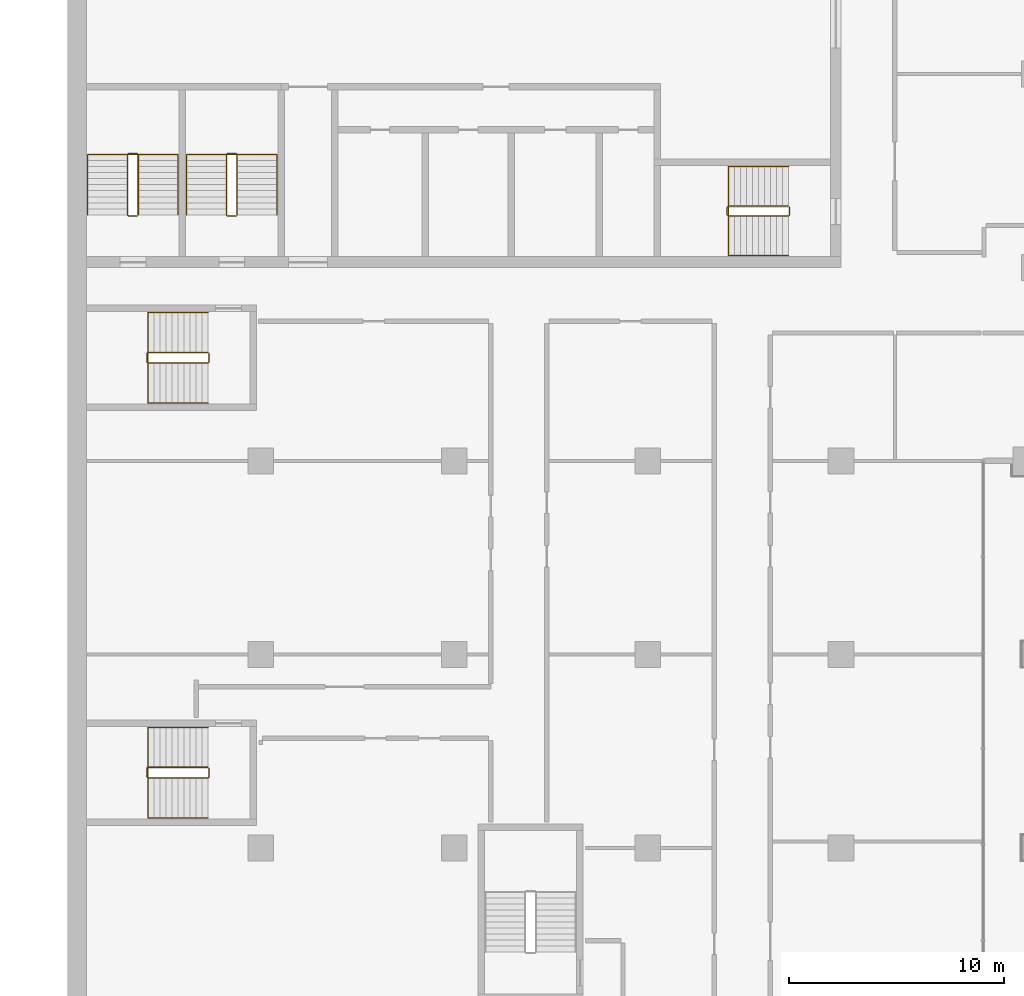
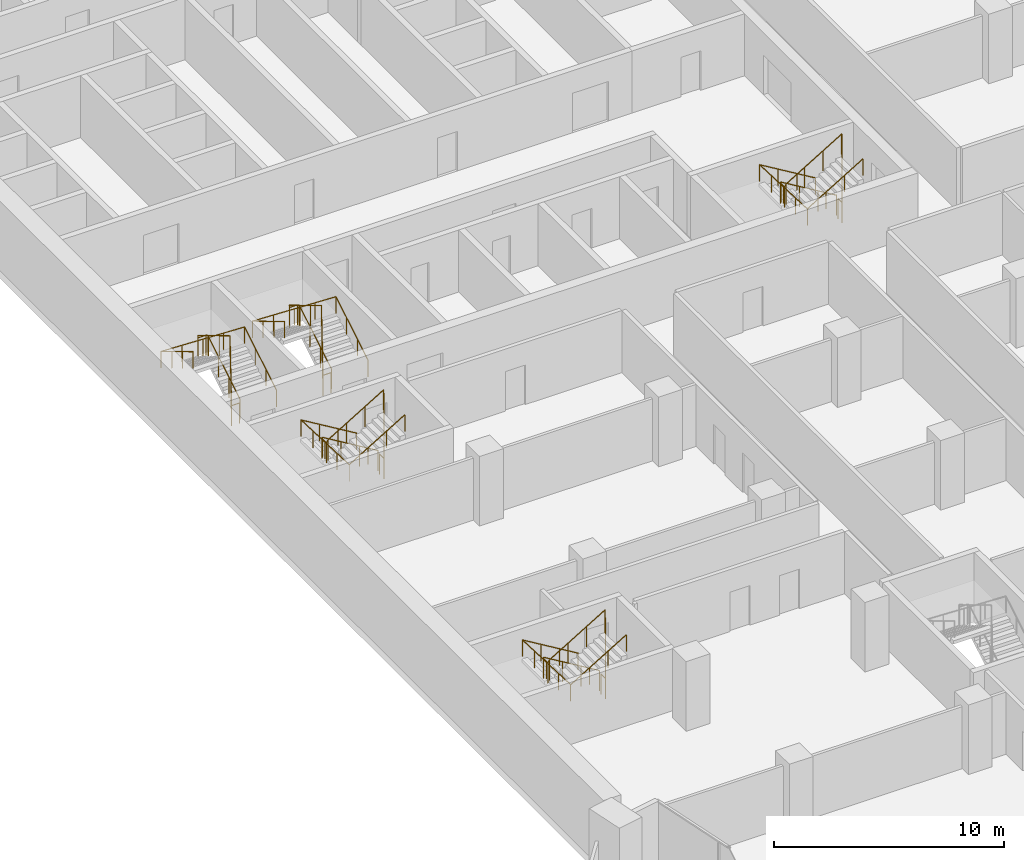
# One storey, part 21 of 23: 10 railings.
"""IFC4 building model written with IfcOpenShell, lengths in metres."""

from ifc_helpers import new_model, si_unit, direction, frame, origin, origin_2d, place, context, subcontext, project, spatial, circle, extrude, material, type_object, element, save


model = new_model("IFC4")

# Units and contexts
model_context = context("Model", 3, precision=1e-05, world=origin(), true_north=direction((0.0, 1.0)))
body_context = subcontext(model_context, "Body", "Model", "MODEL_VIEW")
ifc_project = project(units=[si_unit("LENGTHUNIT", "METRE"), si_unit("AREAUNIT", "SQUARE_METRE"), si_unit("VOLUMEUNIT", "CUBIC_METRE"), si_unit("PLANEANGLEUNIT", "RADIAN"), si_unit("MASSUNIT", "GRAM", prefix="KILO")], contexts=[model_context])

# Site, building, storey
site_placement = place(None, origin())
site = spatial("IfcSite", under=ifc_project, at=site_placement, CompositionType="ELEMENT")
building_placement = place(site_placement, origin())
building = spatial("IfcBuilding", under=site, at=building_placement, Name="Hunhe Ridgeline Campus", CompositionType="ELEMENT")
storey_placement = place(building_placement, frame((0.0, 0.0, 152.300048828125)))
storey = spatial("IfcBuildingStorey", under=building, at=storey_placement, Name="L38", CompositionType="ELEMENT", Elevation=152.300048828125)

# Railings
ifc_material_1 = material(Name="Stainless steel balustrade", Category="steel")
railing_type_1 = type_object("IfcRailingType", Name="Stair guard 1100 stainless", PredefinedType="GUARDRAIL", material=ifc_material_1)
railing_1_placement = place(storey_placement, frame((33.550048828125, 65.85009765625, 0.168212890625)))
element("IfcRailing", 1, at=railing_1_placement, inside=storey, type_object=railing_type_1, Name="L38 stair S2 guard", PredefinedType="GUARDRAIL", context=body_context, shape_type="SweptSolid", body=[
    extrude(circle(Radius=0.02392578125, at=origin_2d()), frame((0.0, 0.0, 1.076171875), z_axis=(-0.857275202839, 0.0, 0.514858452973), x_axis=(0.0, -1.0, 0.0)), (0.0, 0.0, 1.0), 3.26611328125),
    extrude(circle(Radius=0.02392578125, at=origin_2d()), frame((-2.800048828125, 0.0, 2.7578125), z_axis=(-0.707106781187, -0.707106781187, 0.0), x_axis=(0.707106781187, -0.707106781187, 0.0)), (0.0, 0.0, 1.0), 0.07080078125),
    extrude(circle(Radius=0.02392578125, at=origin_2d()), frame((-2.85009765625, -0.050048828125, 2.7578125), z_axis=(0.0, -1.0, 0.0), x_axis=(1.0, 0.0, 0.0)), (0.0, 0.0, 1.0), 0.35009765625),
    extrude(circle(Radius=0.02392578125, at=origin_2d()), frame((-2.85009765625, -0.400146484375, 2.7578125), z_axis=(0.274243871929, -0.274243871929, 0.92172696468), x_axis=(0.707106781187, 0.707106781187, 0.0)), (0.0, 0.0, 1.0), 0.1826171875),
    extrude(circle(Radius=0.02392578125, at=origin_2d()), frame((-2.800048828125, -0.4501953125, 2.92578125), z_axis=(0.857242210791, 0.0, 0.514913383045), x_axis=(0.0, 1.0, 0.0)), (0.0, 0.0, 1.0), 3.266357421875),
    extrude(circle(Radius=0.02392578125, at=origin_2d()), frame((0.0, -0.4501953125, 4.60791015625), z_axis=(0.013524414389, 0.013524414389, -0.999817073484), x_axis=(-0.707106781187, 0.707106781187, 0.0)), (0.0, 0.0, 1.0), 3.70068359375),
    extrude(circle(Radius=0.02392578125, at=origin_2d()), frame((0.050048828125, -0.400146484375, 0.90771484375), z_axis=(0.0, 1.0, 0.0), x_axis=(-1.0, 0.0, 0.0)), (0.0, 0.0, 1.0), 0.35009765625),
    extrude(circle(Radius=0.02099609375, at=origin_2d()), origin(), (0.0, 0.0, 1.0), 1.052001953125),
    extrude(circle(Radius=0.02099609375, at=origin_2d()), frame((-0.933349609375, 0.0, 0.560546875)), (0.0, 0.0, 1.0), 1.052001953125),
    extrude(circle(Radius=0.02099609375, at=origin_2d()), frame((-1.86669921875, 0.0, 1.12109375)), (0.0, 0.0, 1.0), 1.052001953125),
    extrude(circle(Radius=0.02099609375, at=origin_2d()), frame((-2.800048828125, 0.0, 1.681640625)), (0.0, 0.0, 1.0), 1.052001953125),
    extrude(circle(Radius=0.02099609375, at=origin_2d()), frame((-2.85009765625, -0.050048828125, 1.681640625)), (0.0, 0.0, 1.0), 1.052001953125),
    extrude(circle(Radius=0.02099609375, at=origin_2d()), frame((-2.85009765625, -0.400146484375, 1.681640625)), (0.0, 0.0, 1.0), 1.052001953125),
    extrude(circle(Radius=0.02099609375, at=origin_2d()), frame((-2.800048828125, -0.4501953125, 1.849853515625)), (0.0, 0.0, 1.0), 1.052001953125),
    extrude(circle(Radius=0.02099609375, at=origin_2d()), frame((-1.86669921875, -0.4501953125, 2.410400390625)), (0.0, 0.0, 1.0), 1.052001953125),
    extrude(circle(Radius=0.02099609375, at=origin_2d()), frame((-0.933349609375, -0.4501953125, 2.97119140625)), (0.0, 0.0, 1.0), 1.052001953125),
    extrude(circle(Radius=0.02099609375, at=origin_2d()), frame((0.0, -0.4501953125, 3.53173828125)), (0.0, 0.0, 1.0), 1.052001953125),
    extrude(circle(Radius=0.02099609375, at=origin_2d()), frame((0.012451171875, -0.437744140625, 2.606689453125)), (0.0, 0.0, 1.0), 1.052001953125),
    extrude(circle(Radius=0.02099609375, at=origin_2d()), frame((0.02490234375, -0.42529296875, 1.681640625)), (0.0, 0.0, 1.0), 1.052001953125),
    extrude(circle(Radius=0.02099609375, at=origin_2d()), frame((0.03759765625, -0.41259765625, 0.7568359375)), (0.0, 0.0, 1.0), 1.052001953125),
    extrude(circle(Radius=0.02099609375, at=origin_2d()), frame((0.050048828125, -0.400146484375, -0.168212890625)), (0.0, 0.0, 1.0), 1.052001953125),
    extrude(circle(Radius=0.02099609375, at=origin_2d()), frame((0.050048828125, -0.050048828125, -0.168212890625)), (0.0, 0.0, 1.0), 1.052001953125),
])
railing_2_placement = place(storey_placement, frame((3.300048828125, 65.449951171875, 0.168212890625)))
element("IfcRailing", 2, at=railing_2_placement, inside=storey, type_object=railing_type_1, Name="L38 stair S3 guard", PredefinedType="GUARDRAIL", context=body_context, shape_type="SweptSolid", body=[
    extrude(circle(Radius=0.02392578125, at=origin_2d()), frame((0.0, 0.0, 1.076171875), z_axis=(0.0, 0.857275202839, 0.514858452973), x_axis=(-1.0, 0.0, 0.0)), (0.0, 0.0, 1.0), 3.26611328125),
    extrude(circle(Radius=0.02392578125, at=origin_2d()), frame((0.0, 2.800048828125, 2.7578125), z_axis=(-0.707106781187, 0.707106781187, 0.0), x_axis=(-0.707106781187, -0.707106781187, 0.0)), (0.0, 0.0, 1.0), 0.07080078125),
    extrude(circle(Radius=0.02392578125, at=origin_2d()), frame((-0.050048828125, 2.85009765625, 2.7578125), z_axis=(-1.0, 0.0, 0.0), x_axis=(0.0, -1.0, 0.0)), (0.0, 0.0, 1.0), 0.39990234375),
    extrude(circle(Radius=0.02392578125, at=origin_2d()), frame((-0.449951171875, 2.85009765625, 2.7578125), z_axis=(-0.274243871929, -0.274243871929, 0.92172696468), x_axis=(0.707106781187, -0.707106781187, 0.0)), (0.0, 0.0, 1.0), 0.1826171875),
    extrude(circle(Radius=0.02392578125, at=origin_2d()), frame((-0.5, 2.800048828125, 2.92578125), z_axis=(0.0, -0.857242210791, 0.514913383045), x_axis=(1.0, 0.0, 0.0)), (0.0, 0.0, 1.0), 3.266357421875),
    extrude(circle(Radius=0.02392578125, at=origin_2d()), frame((-0.5, 0.0, 4.60791015625), z_axis=(0.013524414389, -0.013524414389, -0.999817073484), x_axis=(0.707106781187, 0.707106781187, 0.0)), (0.0, 0.0, 1.0), 3.70068359375),
    extrude(circle(Radius=0.02392578125, at=origin_2d()), frame((-0.449951171875, -0.050048828125, 0.90771484375), z_axis=(1.0, 0.0, 0.0), x_axis=(0.0, 1.0, 0.0)), (0.0, 0.0, 1.0), 0.39990234375),
    extrude(circle(Radius=0.02099609375, at=origin_2d()), origin(), (0.0, 0.0, 1.0), 1.052001953125),
    extrude(circle(Radius=0.02099609375, at=origin_2d()), frame((0.0, 0.933349609375, 0.560546875)), (0.0, 0.0, 1.0), 1.052001953125),
    extrude(circle(Radius=0.02099609375, at=origin_2d()), frame((0.0, 1.86669921875, 1.12109375)), (0.0, 0.0, 1.0), 1.052001953125),
    extrude(circle(Radius=0.02099609375, at=origin_2d()), frame((0.0, 2.800048828125, 1.681640625)), (0.0, 0.0, 1.0), 1.052001953125),
    extrude(circle(Radius=0.02099609375, at=origin_2d()), frame((-0.050048828125, 2.85009765625, 1.681640625)), (0.0, 0.0, 1.0), 1.052001953125),
    extrude(circle(Radius=0.02099609375, at=origin_2d()), frame((-0.449951171875, 2.85009765625, 1.681640625)), (0.0, 0.0, 1.0), 1.052001953125),
    extrude(circle(Radius=0.02099609375, at=origin_2d()), frame((-0.5, 2.800048828125, 1.849853515625)), (0.0, 0.0, 1.0), 1.052001953125),
    extrude(circle(Radius=0.02099609375, at=origin_2d()), frame((-0.5, 1.86669921875, 2.410400390625)), (0.0, 0.0, 1.0), 1.052001953125),
    extrude(circle(Radius=0.02099609375, at=origin_2d()), frame((-0.5, 0.933349609375, 2.97119140625)), (0.0, 0.0, 1.0), 1.052001953125),
    extrude(circle(Radius=0.02099609375, at=origin_2d()), frame((-0.5, 0.0, 3.53173828125)), (0.0, 0.0, 1.0), 1.052001953125),
    extrude(circle(Radius=0.02099609375, at=origin_2d()), frame((-0.487548828125, -0.012451171875, 2.606689453125)), (0.0, 0.0, 1.0), 1.052001953125),
    extrude(circle(Radius=0.02099609375, at=origin_2d()), frame((-0.47509765625, -0.02490234375, 1.681640625)), (0.0, 0.0, 1.0), 1.052001953125),
    extrude(circle(Radius=0.02099609375, at=origin_2d()), frame((-0.46240234375, -0.03759765625, 0.7568359375)), (0.0, 0.0, 1.0), 1.052001953125),
    extrude(circle(Radius=0.02099609375, at=origin_2d()), frame((-0.449951171875, -0.050048828125, -0.168212890625)), (0.0, 0.0, 1.0), 1.052001953125),
    extrude(circle(Radius=0.02099609375, at=origin_2d()), frame((-0.050048828125, -0.050048828125, -0.168212890625)), (0.0, 0.0, 1.0), 1.052001953125),
])
railing_3_placement = place(storey_placement, frame((7.89990234375, 65.449951171875, 0.168212890625)))
element("IfcRailing", 3, at=railing_3_placement, inside=storey, type_object=railing_type_1, Name="L38 stair S4 guard", PredefinedType="GUARDRAIL", context=body_context, shape_type="SweptSolid", body=[
    extrude(circle(Radius=0.02392578125, at=origin_2d()), frame((0.0, 0.0, 1.076171875), z_axis=(0.0, 0.857275202839, 0.514858452973), x_axis=(-1.0, 0.0, 0.0)), (0.0, 0.0, 1.0), 3.26611328125),
    extrude(circle(Radius=0.02392578125, at=origin_2d()), frame((0.0, 2.800048828125, 2.7578125), z_axis=(-0.705375805398, 0.708833529934, 0.0), x_axis=(-0.708833529934, -0.705375805398, 0.0)), (0.0, 0.0, 1.0), 0.070556640625),
    extrude(circle(Radius=0.02392578125, at=origin_2d()), frame((-0.0498046875, 2.85009765625, 2.7578125), z_axis=(-1.0, 0.0, 0.0), x_axis=(0.0, -1.0, 0.0)), (0.0, 0.0, 1.0), 0.400146484375),
    extrude(circle(Radius=0.02392578125, at=origin_2d()), frame((-0.449951171875, 2.85009765625, 2.7578125), z_axis=(-0.274243871929, -0.274243871929, 0.92172696468), x_axis=(0.707106781187, -0.707106781187, 0.0)), (0.0, 0.0, 1.0), 0.1826171875),
    extrude(circle(Radius=0.02392578125, at=origin_2d()), frame((-0.5, 2.800048828125, 2.92578125), z_axis=(0.0, -0.857242210791, 0.514913383045), x_axis=(1.0, 0.0, 0.0)), (0.0, 0.0, 1.0), 3.266357421875),
    extrude(circle(Radius=0.02392578125, at=origin_2d()), frame((-0.5, 0.0, 4.60791015625), z_axis=(0.013524414389, -0.013524414389, -0.999817073484), x_axis=(0.707106781187, 0.707106781187, 0.0)), (0.0, 0.0, 1.0), 3.70068359375),
    extrude(circle(Radius=0.02392578125, at=origin_2d()), frame((-0.449951171875, -0.050048828125, 0.90771484375), z_axis=(1.0, 0.0, 0.0), x_axis=(0.0, 1.0, 0.0)), (0.0, 0.0, 1.0), 0.400146484375),
    extrude(circle(Radius=0.02099609375, at=origin_2d()), origin(), (0.0, 0.0, 1.0), 1.052001953125),
    extrude(circle(Radius=0.02099609375, at=origin_2d()), frame((0.0, 0.933349609375, 0.560546875)), (0.0, 0.0, 1.0), 1.052001953125),
    extrude(circle(Radius=0.02099609375, at=origin_2d()), frame((0.0, 1.86669921875, 1.12109375)), (0.0, 0.0, 1.0), 1.052001953125),
    extrude(circle(Radius=0.02099609375, at=origin_2d()), frame((0.0, 2.800048828125, 1.681640625)), (0.0, 0.0, 1.0), 1.052001953125),
    extrude(circle(Radius=0.02099609375, at=origin_2d()), frame((-0.0498046875, 2.85009765625, 1.681640625)), (0.0, 0.0, 1.0), 1.052001953125),
    extrude(circle(Radius=0.02099609375, at=origin_2d()), frame((-0.449951171875, 2.85009765625, 1.681640625)), (0.0, 0.0, 1.0), 1.052001953125),
    extrude(circle(Radius=0.02099609375, at=origin_2d()), frame((-0.5, 2.800048828125, 1.849853515625)), (0.0, 0.0, 1.0), 1.052001953125),
    extrude(circle(Radius=0.02099609375, at=origin_2d()), frame((-0.5, 1.86669921875, 2.410400390625)), (0.0, 0.0, 1.0), 1.052001953125),
    extrude(circle(Radius=0.02099609375, at=origin_2d()), frame((-0.5, 0.933349609375, 2.97119140625)), (0.0, 0.0, 1.0), 1.052001953125),
    extrude(circle(Radius=0.02099609375, at=origin_2d()), frame((-0.5, 0.0, 3.53173828125)), (0.0, 0.0, 1.0), 1.052001953125),
    extrude(circle(Radius=0.02099609375, at=origin_2d()), frame((-0.487548828125, -0.012451171875, 2.606689453125)), (0.0, 0.0, 1.0), 1.052001953125),
    extrude(circle(Radius=0.02099609375, at=origin_2d()), frame((-0.47509765625, -0.02490234375, 1.681640625)), (0.0, 0.0, 1.0), 1.052001953125),
    extrude(circle(Radius=0.02099609375, at=origin_2d()), frame((-0.46240234375, -0.03759765625, 0.7568359375)), (0.0, 0.0, 1.0), 1.052001953125),
    extrude(circle(Radius=0.02099609375, at=origin_2d()), frame((-0.449951171875, -0.050048828125, -0.168212890625)), (0.0, 0.0, 1.0), 1.052001953125),
    extrude(circle(Radius=0.02099609375, at=origin_2d()), frame((-0.0498046875, -0.050048828125, -0.168212890625)), (0.0, 0.0, 1.0), 1.052001953125),
])
railing_4_placement = place(storey_placement, frame((6.550048828125, 39.75, 0.168212890625)))
element("IfcRailing", 4, at=railing_4_placement, inside=storey, type_object=railing_type_1, Name="L38 stair W1 guard", PredefinedType="GUARDRAIL", context=body_context, shape_type="SweptSolid", body=[
    extrude(circle(Radius=0.02392578125, at=origin_2d()), frame((0.0, 0.0, 1.076171875), z_axis=(-0.857275202839, 0.0, 0.514858452973), x_axis=(0.0, -1.0, 0.0)), (0.0, 0.0, 1.0), 3.26611328125),
    extrude(circle(Radius=0.02392578125, at=origin_2d()), frame((-2.800048828125, 0.0, 2.7578125), z_axis=(-0.707106781187, -0.707106781187, 0.0), x_axis=(0.707106781187, -0.707106781187, 0.0)), (0.0, 0.0, 1.0), 0.07080078125),
    extrude(circle(Radius=0.02392578125, at=origin_2d()), frame((-2.85009765625, -0.050048828125, 2.7578125), z_axis=(0.0, -1.0, 0.0), x_axis=(1.0, 0.0, 0.0)), (0.0, 0.0, 1.0), 0.39990234375),
    extrude(circle(Radius=0.02392578125, at=origin_2d()), frame((-2.85009765625, -0.449951171875, 2.7578125), z_axis=(0.274243871929, -0.274243871929, 0.92172696468), x_axis=(0.707106781187, 0.707106781187, 0.0)), (0.0, 0.0, 1.0), 0.1826171875),
    extrude(circle(Radius=0.02392578125, at=origin_2d()), frame((-2.800048828125, -0.5, 2.92578125), z_axis=(0.857242210791, 0.0, 0.514913383045), x_axis=(0.0, 1.0, 0.0)), (0.0, 0.0, 1.0), 3.266357421875),
    extrude(circle(Radius=0.02392578125, at=origin_2d()), frame((0.0, -0.5, 4.60791015625), z_axis=(0.013524414389, 0.013524414389, -0.999817073484), x_axis=(-0.707106781187, 0.707106781187, 0.0)), (0.0, 0.0, 1.0), 3.70068359375),
    extrude(circle(Radius=0.02392578125, at=origin_2d()), frame((0.050048828125, -0.449951171875, 0.90771484375), z_axis=(0.0, 1.0, 0.0), x_axis=(-1.0, 0.0, 0.0)), (0.0, 0.0, 1.0), 0.39990234375),
    extrude(circle(Radius=0.02099609375, at=origin_2d()), origin(), (0.0, 0.0, 1.0), 1.052001953125),
    extrude(circle(Radius=0.02099609375, at=origin_2d()), frame((-0.933349609375, 0.0, 0.560546875)), (0.0, 0.0, 1.0), 1.052001953125),
    extrude(circle(Radius=0.02099609375, at=origin_2d()), frame((-1.86669921875, 0.0, 1.12109375)), (0.0, 0.0, 1.0), 1.052001953125),
    extrude(circle(Radius=0.02099609375, at=origin_2d()), frame((-2.800048828125, 0.0, 1.681640625)), (0.0, 0.0, 1.0), 1.052001953125),
    extrude(circle(Radius=0.02099609375, at=origin_2d()), frame((-2.85009765625, -0.050048828125, 1.681640625)), (0.0, 0.0, 1.0), 1.052001953125),
    extrude(circle(Radius=0.02099609375, at=origin_2d()), frame((-2.85009765625, -0.449951171875, 1.681640625)), (0.0, 0.0, 1.0), 1.052001953125),
    extrude(circle(Radius=0.02099609375, at=origin_2d()), frame((-2.800048828125, -0.5, 1.849853515625)), (0.0, 0.0, 1.0), 1.052001953125),
    extrude(circle(Radius=0.02099609375, at=origin_2d()), frame((-1.86669921875, -0.5, 2.410400390625)), (0.0, 0.0, 1.0), 1.052001953125),
    extrude(circle(Radius=0.02099609375, at=origin_2d()), frame((-0.933349609375, -0.5, 2.97119140625)), (0.0, 0.0, 1.0), 1.052001953125),
    extrude(circle(Radius=0.02099609375, at=origin_2d()), frame((0.0, -0.5, 3.53173828125)), (0.0, 0.0, 1.0), 1.052001953125),
    extrude(circle(Radius=0.02099609375, at=origin_2d()), frame((0.012451171875, -0.487548828125, 2.606689453125)), (0.0, 0.0, 1.0), 1.052001953125),
    extrude(circle(Radius=0.02099609375, at=origin_2d()), frame((0.02490234375, -0.47509765625, 1.681640625)), (0.0, 0.0, 1.0), 1.052001953125),
    extrude(circle(Radius=0.02099609375, at=origin_2d()), frame((0.03759765625, -0.46240234375, 0.7568359375)), (0.0, 0.0, 1.0), 1.052001953125),
    extrude(circle(Radius=0.02099609375, at=origin_2d()), frame((0.050048828125, -0.449951171875, -0.168212890625)), (0.0, 0.0, 1.0), 1.052001953125),
    extrude(circle(Radius=0.02099609375, at=origin_2d()), frame((0.050048828125, -0.050048828125, -0.168212890625)), (0.0, 0.0, 1.0), 1.052001953125),
])
railing_5_placement = place(storey_placement, frame((6.550048828125, 59.050048828125, 0.168212890625)))
element("IfcRailing", 5, at=railing_5_placement, inside=storey, type_object=railing_type_1, Name="L38 stair W2 guard", PredefinedType="GUARDRAIL", context=body_context, shape_type="SweptSolid", body=[
    extrude(circle(Radius=0.02392578125, at=origin_2d()), frame((0.0, 0.0, 1.076171875), z_axis=(-0.857275202839, 0.0, 0.514858452973), x_axis=(0.0, -1.0, 0.0)), (0.0, 0.0, 1.0), 3.26611328125),
    extrude(circle(Radius=0.02392578125, at=origin_2d()), frame((-2.800048828125, 0.0, 2.7578125), z_axis=(-0.707106781187, -0.707106781187, 0.0), x_axis=(0.707106781187, -0.707106781187, 0.0)), (0.0, 0.0, 1.0), 0.07080078125),
    extrude(circle(Radius=0.02392578125, at=origin_2d()), frame((-2.85009765625, -0.050048828125, 2.7578125), z_axis=(0.0, -1.0, 0.0), x_axis=(1.0, 0.0, 0.0)), (0.0, 0.0, 1.0), 0.39990234375),
    extrude(circle(Radius=0.02392578125, at=origin_2d()), frame((-2.85009765625, -0.449951171875, 2.7578125), z_axis=(0.274243871929, -0.274243871929, 0.92172696468), x_axis=(0.707106781187, 0.707106781187, 0.0)), (0.0, 0.0, 1.0), 0.1826171875),
    extrude(circle(Radius=0.02392578125, at=origin_2d()), frame((-2.800048828125, -0.5, 2.92578125), z_axis=(0.857242210791, 0.0, 0.514913383045), x_axis=(0.0, 1.0, 0.0)), (0.0, 0.0, 1.0), 3.266357421875),
    extrude(circle(Radius=0.02392578125, at=origin_2d()), frame((0.0, -0.5, 4.60791015625), z_axis=(0.013524414389, 0.013524414389, -0.999817073484), x_axis=(-0.707106781187, 0.707106781187, 0.0)), (0.0, 0.0, 1.0), 3.70068359375),
    extrude(circle(Radius=0.02392578125, at=origin_2d()), frame((0.050048828125, -0.449951171875, 0.90771484375), z_axis=(0.0, 1.0, 0.0), x_axis=(-1.0, 0.0, 0.0)), (0.0, 0.0, 1.0), 0.39990234375),
    extrude(circle(Radius=0.02099609375, at=origin_2d()), origin(), (0.0, 0.0, 1.0), 1.052001953125),
    extrude(circle(Radius=0.02099609375, at=origin_2d()), frame((-0.933349609375, 0.0, 0.560546875)), (0.0, 0.0, 1.0), 1.052001953125),
    extrude(circle(Radius=0.02099609375, at=origin_2d()), frame((-1.86669921875, 0.0, 1.12109375)), (0.0, 0.0, 1.0), 1.052001953125),
    extrude(circle(Radius=0.02099609375, at=origin_2d()), frame((-2.800048828125, 0.0, 1.681640625)), (0.0, 0.0, 1.0), 1.052001953125),
    extrude(circle(Radius=0.02099609375, at=origin_2d()), frame((-2.85009765625, -0.050048828125, 1.681640625)), (0.0, 0.0, 1.0), 1.052001953125),
    extrude(circle(Radius=0.02099609375, at=origin_2d()), frame((-2.85009765625, -0.449951171875, 1.681640625)), (0.0, 0.0, 1.0), 1.052001953125),
    extrude(circle(Radius=0.02099609375, at=origin_2d()), frame((-2.800048828125, -0.5, 1.849853515625)), (0.0, 0.0, 1.0), 1.052001953125),
    extrude(circle(Radius=0.02099609375, at=origin_2d()), frame((-1.86669921875, -0.5, 2.410400390625)), (0.0, 0.0, 1.0), 1.052001953125),
    extrude(circle(Radius=0.02099609375, at=origin_2d()), frame((-0.933349609375, -0.5, 2.97119140625)), (0.0, 0.0, 1.0), 1.052001953125),
    extrude(circle(Radius=0.02099609375, at=origin_2d()), frame((0.0, -0.5, 3.53173828125)), (0.0, 0.0, 1.0), 1.052001953125),
    extrude(circle(Radius=0.02099609375, at=origin_2d()), frame((0.012451171875, -0.487548828125, 2.606689453125)), (0.0, 0.0, 1.0), 1.052001953125),
    extrude(circle(Radius=0.02099609375, at=origin_2d()), frame((0.02490234375, -0.47509765625, 1.681640625)), (0.0, 0.0, 1.0), 1.052001953125),
    extrude(circle(Radius=0.02099609375, at=origin_2d()), frame((0.03759765625, -0.46240234375, 0.7568359375)), (0.0, 0.0, 1.0), 1.052001953125),
    extrude(circle(Radius=0.02099609375, at=origin_2d()), frame((0.050048828125, -0.449951171875, -0.168212890625)), (0.0, 0.0, 1.0), 1.052001953125),
    extrude(circle(Radius=0.02099609375, at=origin_2d()), frame((0.050048828125, -0.050048828125, -0.168212890625)), (0.0, 0.0, 1.0), 1.052001953125),
])
ifc_material_2 = material(Name="Stainless steel handrail", Category="steel")
railing_type_2 = type_object("IfcRailingType", Name="Stair handrail 900 stainless", PredefinedType="HANDRAIL", material=ifc_material_2)
railing_6_placement = place(storey_placement, frame((33.550048828125, 67.699951171875, 0.168212890625)))
element("IfcRailing", 6, at=railing_6_placement, inside=storey, type_object=railing_type_2, Name="L38 stair S2 handrail", PredefinedType="HANDRAIL", context=body_context, shape_type="SweptSolid", body=[
    extrude(circle(Radius=0.02392578125, at=origin_2d()), frame((0.0, 0.0, 0.8759765625), z_axis=(-0.857275202839, 0.0, 0.514858452973), x_axis=(0.0, -1.0, 0.0)), (0.0, 0.0, 1.0), 3.26611328125),
    extrude(circle(Radius=0.02392578125, at=origin_2d()), frame((-2.800048828125, 0.0, 2.5576171875), z_axis=(0.0, -0.99917950104, 0.040500922239), x_axis=(1.0, 0.0, 0.0)), (0.0, 0.0, 1.0), 4.1533203125),
    extrude(circle(Radius=0.02392578125, at=origin_2d()), frame((-2.800048828125, -4.14990234375, 2.7255859375), z_axis=(0.857242210791, 0.0, 0.514913383045), x_axis=(0.0, 1.0, 0.0)), (0.0, 0.0, 1.0), 3.266357421875),
    extrude(circle(Radius=0.02099609375, at=origin_2d()), origin(), (0.0, 0.0, 1.0), 0.851806640625),
    extrude(circle(Radius=0.02099609375, at=origin_2d()), frame((-0.933349609375, 0.0, 0.560546875)), (0.0, 0.0, 1.0), 0.851806640625),
    extrude(circle(Radius=0.02099609375, at=origin_2d()), frame((-1.86669921875, 0.0, 1.12109375)), (0.0, 0.0, 1.0), 0.851806640625),
    extrude(circle(Radius=0.02099609375, at=origin_2d()), frame((-2.800048828125, 0.0, 1.681640625)), (0.0, 0.0, 1.0), 0.851806640625),
    extrude(circle(Radius=0.02099609375, at=origin_2d()), frame((-2.800048828125, -1.03759765625, 1.7236328125)), (0.0, 0.0, 1.0), 0.851806640625),
    extrude(circle(Radius=0.02099609375, at=origin_2d()), frame((-2.800048828125, -2.074951171875, 1.765625)), (0.0, 0.0, 1.0), 0.851806640625),
    extrude(circle(Radius=0.02099609375, at=origin_2d()), frame((-2.800048828125, -3.1123046875, 1.807861328125)), (0.0, 0.0, 1.0), 0.851806640625),
    extrude(circle(Radius=0.02099609375, at=origin_2d()), frame((-2.800048828125, -4.14990234375, 1.849853515625)), (0.0, 0.0, 1.0), 0.851806640625),
    extrude(circle(Radius=0.02099609375, at=origin_2d()), frame((-1.86669921875, -4.14990234375, 2.410400390625)), (0.0, 0.0, 1.0), 0.851806640625),
    extrude(circle(Radius=0.02099609375, at=origin_2d()), frame((-0.933349609375, -4.14990234375, 2.97119140625)), (0.0, 0.0, 1.0), 0.851806640625),
    extrude(circle(Radius=0.02099609375, at=origin_2d()), frame((0.0, -4.14990234375, 3.53173828125)), (0.0, 0.0, 1.0), 0.851806640625),
])
railing_7_placement = place(storey_placement, frame((5.14990234375, 65.449951171875, 0.168212890625)))
element("IfcRailing", 7, at=railing_7_placement, inside=storey, type_object=railing_type_2, Name="L38 stair S3 handrail", PredefinedType="HANDRAIL", context=body_context, shape_type="SweptSolid", body=[
    extrude(circle(Radius=0.02392578125, at=origin_2d()), frame((0.0, 0.0, 0.8759765625), z_axis=(0.0, 0.857275202839, 0.514858452973), x_axis=(-1.0, 0.0, 0.0)), (0.0, 0.0, 1.0), 3.26611328125),
    extrude(circle(Radius=0.02392578125, at=origin_2d()), frame((0.0, 2.800048828125, 2.5576171875), z_axis=(-0.999198916169, 0.0, 0.040019069537), x_axis=(0.0, -1.0, 0.0)), (0.0, 0.0, 1.0), 4.203369140625),
    extrude(circle(Radius=0.02392578125, at=origin_2d()), frame((-4.199951171875, 2.800048828125, 2.7255859375), z_axis=(0.0, -0.857242210791, 0.514913383045), x_axis=(1.0, 0.0, 0.0)), (0.0, 0.0, 1.0), 3.266357421875),
    extrude(circle(Radius=0.02099609375, at=origin_2d()), origin(), (0.0, 0.0, 1.0), 0.851806640625),
    extrude(circle(Radius=0.02099609375, at=origin_2d()), frame((0.0, 0.933349609375, 0.560546875)), (0.0, 0.0, 1.0), 0.851806640625),
    extrude(circle(Radius=0.02099609375, at=origin_2d()), frame((0.0, 1.86669921875, 1.12109375)), (0.0, 0.0, 1.0), 0.851806640625),
    extrude(circle(Radius=0.02099609375, at=origin_2d()), frame((0.0, 2.800048828125, 1.681640625)), (0.0, 0.0, 1.0), 0.851806640625),
    extrude(circle(Radius=0.02099609375, at=origin_2d()), frame((-1.050048828125, 2.800048828125, 1.7236328125)), (0.0, 0.0, 1.0), 0.851806640625),
    extrude(circle(Radius=0.02099609375, at=origin_2d()), frame((-2.10009765625, 2.800048828125, 1.765625)), (0.0, 0.0, 1.0), 0.851806640625),
    extrude(circle(Radius=0.02099609375, at=origin_2d()), frame((-3.14990234375, 2.800048828125, 1.807861328125)), (0.0, 0.0, 1.0), 0.851806640625),
    extrude(circle(Radius=0.02099609375, at=origin_2d()), frame((-4.199951171875, 2.800048828125, 1.849853515625)), (0.0, 0.0, 1.0), 0.851806640625),
    extrude(circle(Radius=0.02099609375, at=origin_2d()), frame((-4.199951171875, 1.86669921875, 2.410400390625)), (0.0, 0.0, 1.0), 0.851806640625),
    extrude(circle(Radius=0.02099609375, at=origin_2d()), frame((-4.199951171875, 0.933349609375, 2.97119140625)), (0.0, 0.0, 1.0), 0.851806640625),
    extrude(circle(Radius=0.02099609375, at=origin_2d()), frame((-4.199951171875, 0.0, 3.53173828125)), (0.0, 0.0, 1.0), 0.851806640625),
])
railing_8_placement = place(storey_placement, frame((9.75, 65.449951171875, 0.168212890625)))
element("IfcRailing", 8, at=railing_8_placement, inside=storey, type_object=railing_type_2, Name="L38 stair S4 handrail", PredefinedType="HANDRAIL", context=body_context, shape_type="SweptSolid", body=[
    extrude(circle(Radius=0.02392578125, at=origin_2d()), frame((0.0, 0.0, 0.8759765625), z_axis=(0.0, 0.857275202839, 0.514858452973), x_axis=(-1.0, 0.0, 0.0)), (0.0, 0.0, 1.0), 3.26611328125),
    extrude(circle(Radius=0.02392578125, at=origin_2d()), frame((0.0, 2.800048828125, 2.5576171875), z_axis=(-0.999198916169, 0.0, 0.040019069537), x_axis=(0.0, -1.0, 0.0)), (0.0, 0.0, 1.0), 4.203369140625),
    extrude(circle(Radius=0.02392578125, at=origin_2d()), frame((-4.199951171875, 2.800048828125, 2.7255859375), z_axis=(0.0, -0.857242210791, 0.514913383045), x_axis=(1.0, 0.0, 0.0)), (0.0, 0.0, 1.0), 3.266357421875),
    extrude(circle(Radius=0.02099609375, at=origin_2d()), origin(), (0.0, 0.0, 1.0), 0.851806640625),
    extrude(circle(Radius=0.02099609375, at=origin_2d()), frame((0.0, 0.933349609375, 0.560546875)), (0.0, 0.0, 1.0), 0.851806640625),
    extrude(circle(Radius=0.02099609375, at=origin_2d()), frame((0.0, 1.86669921875, 1.12109375)), (0.0, 0.0, 1.0), 0.851806640625),
    extrude(circle(Radius=0.02099609375, at=origin_2d()), frame((0.0, 2.800048828125, 1.681640625)), (0.0, 0.0, 1.0), 0.851806640625),
    extrude(circle(Radius=0.02099609375, at=origin_2d()), frame((-1.050048828125, 2.800048828125, 1.7236328125)), (0.0, 0.0, 1.0), 0.851806640625),
    extrude(circle(Radius=0.02099609375, at=origin_2d()), frame((-2.10009765625, 2.800048828125, 1.765625)), (0.0, 0.0, 1.0), 0.851806640625),
    extrude(circle(Radius=0.02099609375, at=origin_2d()), frame((-3.14990234375, 2.800048828125, 1.807861328125)), (0.0, 0.0, 1.0), 0.851806640625),
    extrude(circle(Radius=0.02099609375, at=origin_2d()), frame((-4.199951171875, 2.800048828125, 1.849853515625)), (0.0, 0.0, 1.0), 0.851806640625),
    extrude(circle(Radius=0.02099609375, at=origin_2d()), frame((-4.199951171875, 1.86669921875, 2.410400390625)), (0.0, 0.0, 1.0), 0.851806640625),
    extrude(circle(Radius=0.02099609375, at=origin_2d()), frame((-4.199951171875, 0.933349609375, 2.97119140625)), (0.0, 0.0, 1.0), 0.851806640625),
    extrude(circle(Radius=0.02099609375, at=origin_2d()), frame((-4.199951171875, 0.0, 3.53173828125)), (0.0, 0.0, 1.0), 0.851806640625),
])
railing_9_placement = place(storey_placement, frame((6.550048828125, 41.60009765625, 0.168212890625)))
element("IfcRailing", 9, at=railing_9_placement, inside=storey, type_object=railing_type_2, Name="L38 stair W1 handrail", PredefinedType="HANDRAIL", context=body_context, shape_type="SweptSolid", body=[
    extrude(circle(Radius=0.02392578125, at=origin_2d()), frame((0.0, 0.0, 0.8759765625), z_axis=(-0.857275202839, 0.0, 0.514858452973), x_axis=(0.0, -1.0, 0.0)), (0.0, 0.0, 1.0), 3.26611328125),
    extrude(circle(Radius=0.02392578125, at=origin_2d()), frame((-2.800048828125, 0.0, 2.5576171875), z_axis=(0.0, -0.999199009182, 0.040016747113), x_axis=(1.0, 0.0, 0.0)), (0.0, 0.0, 1.0), 4.20361328125),
    extrude(circle(Radius=0.02392578125, at=origin_2d()), frame((-2.800048828125, -4.2001953125, 2.7255859375), z_axis=(0.857242210791, 0.0, 0.514913383045), x_axis=(0.0, 1.0, 0.0)), (0.0, 0.0, 1.0), 3.266357421875),
    extrude(circle(Radius=0.02099609375, at=origin_2d()), origin(), (0.0, 0.0, 1.0), 0.851806640625),
    extrude(circle(Radius=0.02099609375, at=origin_2d()), frame((-0.933349609375, 0.0, 0.560546875)), (0.0, 0.0, 1.0), 0.851806640625),
    extrude(circle(Radius=0.02099609375, at=origin_2d()), frame((-1.86669921875, 0.0, 1.12109375)), (0.0, 0.0, 1.0), 0.851806640625),
    extrude(circle(Radius=0.02099609375, at=origin_2d()), frame((-2.800048828125, 0.0, 1.681640625)), (0.0, 0.0, 1.0), 0.851806640625),
    extrude(circle(Radius=0.02099609375, at=origin_2d()), frame((-2.800048828125, -1.050048828125, 1.7236328125)), (0.0, 0.0, 1.0), 0.851806640625),
    extrude(circle(Radius=0.02099609375, at=origin_2d()), frame((-2.800048828125, -2.10009765625, 1.765625)), (0.0, 0.0, 1.0), 0.851806640625),
    extrude(circle(Radius=0.02099609375, at=origin_2d()), frame((-2.800048828125, -3.150146484375, 1.807861328125)), (0.0, 0.0, 1.0), 0.851806640625),
    extrude(circle(Radius=0.02099609375, at=origin_2d()), frame((-2.800048828125, -4.2001953125, 1.849853515625)), (0.0, 0.0, 1.0), 0.851806640625),
    extrude(circle(Radius=0.02099609375, at=origin_2d()), frame((-1.86669921875, -4.2001953125, 2.410400390625)), (0.0, 0.0, 1.0), 0.851806640625),
    extrude(circle(Radius=0.02099609375, at=origin_2d()), frame((-0.933349609375, -4.2001953125, 2.97119140625)), (0.0, 0.0, 1.0), 0.851806640625),
    extrude(circle(Radius=0.02099609375, at=origin_2d()), frame((0.0, -4.2001953125, 3.53173828125)), (0.0, 0.0, 1.0), 0.851806640625),
])
railing_10_placement = place(storey_placement, frame((6.550048828125, 60.89990234375, 0.168212890625)))
element("IfcRailing", 10, at=railing_10_placement, inside=storey, type_object=railing_type_2, Name="L38 stair W2 handrail", PredefinedType="HANDRAIL", context=body_context, shape_type="SweptSolid", body=[
    extrude(circle(Radius=0.02392578125, at=origin_2d()), frame((0.0, 0.0, 0.8759765625), z_axis=(-0.857275202839, 0.0, 0.514858452973), x_axis=(0.0, -1.0, 0.0)), (0.0, 0.0, 1.0), 3.26611328125),
    extrude(circle(Radius=0.02392578125, at=origin_2d()), frame((-2.800048828125, 0.0, 2.5576171875), z_axis=(0.0, -0.999198916169, 0.040019069537), x_axis=(1.0, 0.0, 0.0)), (0.0, 0.0, 1.0), 4.203369140625),
    extrude(circle(Radius=0.02392578125, at=origin_2d()), frame((-2.800048828125, -4.199951171875, 2.7255859375), z_axis=(0.857242210791, 0.0, 0.514913383045), x_axis=(0.0, 1.0, 0.0)), (0.0, 0.0, 1.0), 3.266357421875),
    extrude(circle(Radius=0.02099609375, at=origin_2d()), origin(), (0.0, 0.0, 1.0), 0.851806640625),
    extrude(circle(Radius=0.02099609375, at=origin_2d()), frame((-0.933349609375, 0.0, 0.560546875)), (0.0, 0.0, 1.0), 0.851806640625),
    extrude(circle(Radius=0.02099609375, at=origin_2d()), frame((-1.86669921875, 0.0, 1.12109375)), (0.0, 0.0, 1.0), 0.851806640625),
    extrude(circle(Radius=0.02099609375, at=origin_2d()), frame((-2.800048828125, 0.0, 1.681640625)), (0.0, 0.0, 1.0), 0.851806640625),
    extrude(circle(Radius=0.02099609375, at=origin_2d()), frame((-2.800048828125, -1.050048828125, 1.7236328125)), (0.0, 0.0, 1.0), 0.851806640625),
    extrude(circle(Radius=0.02099609375, at=origin_2d()), frame((-2.800048828125, -2.10009765625, 1.765625)), (0.0, 0.0, 1.0), 0.851806640625),
    extrude(circle(Radius=0.02099609375, at=origin_2d()), frame((-2.800048828125, -3.14990234375, 1.807861328125)), (0.0, 0.0, 1.0), 0.851806640625),
    extrude(circle(Radius=0.02099609375, at=origin_2d()), frame((-2.800048828125, -4.199951171875, 1.849853515625)), (0.0, 0.0, 1.0), 0.851806640625),
    extrude(circle(Radius=0.02099609375, at=origin_2d()), frame((-1.86669921875, -4.199951171875, 2.410400390625)), (0.0, 0.0, 1.0), 0.851806640625),
    extrude(circle(Radius=0.02099609375, at=origin_2d()), frame((-0.933349609375, -4.199951171875, 2.97119140625)), (0.0, 0.0, 1.0), 0.851806640625),
    extrude(circle(Radius=0.02099609375, at=origin_2d()), frame((0.0, -4.199951171875, 3.53173828125)), (0.0, 0.0, 1.0), 0.851806640625),
])

save(model, "model.ifc")
